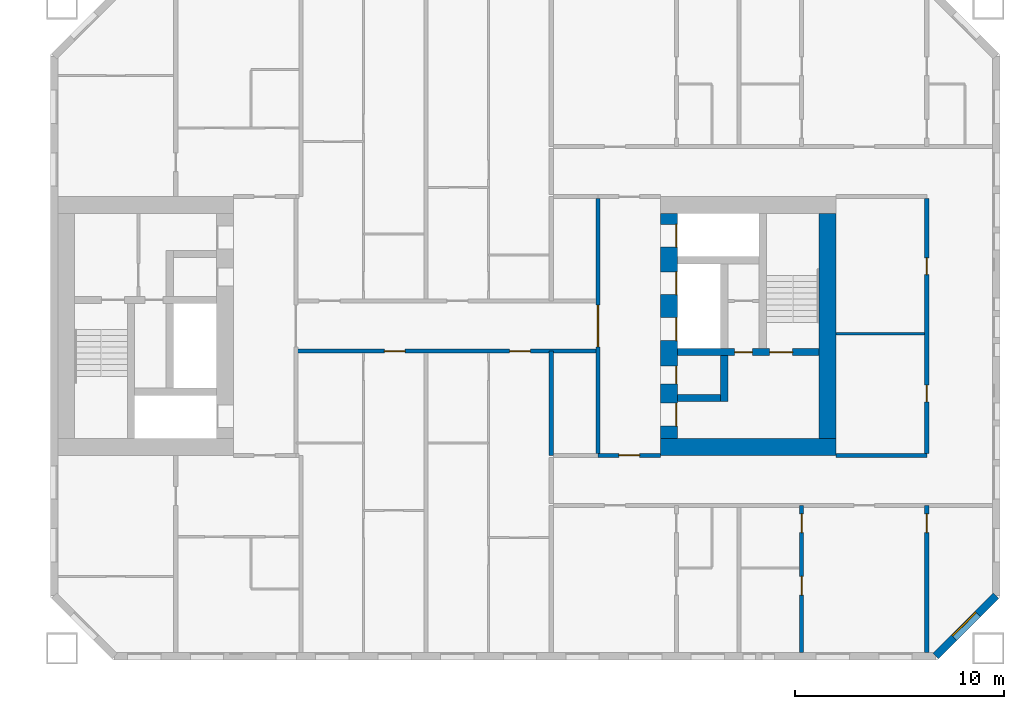
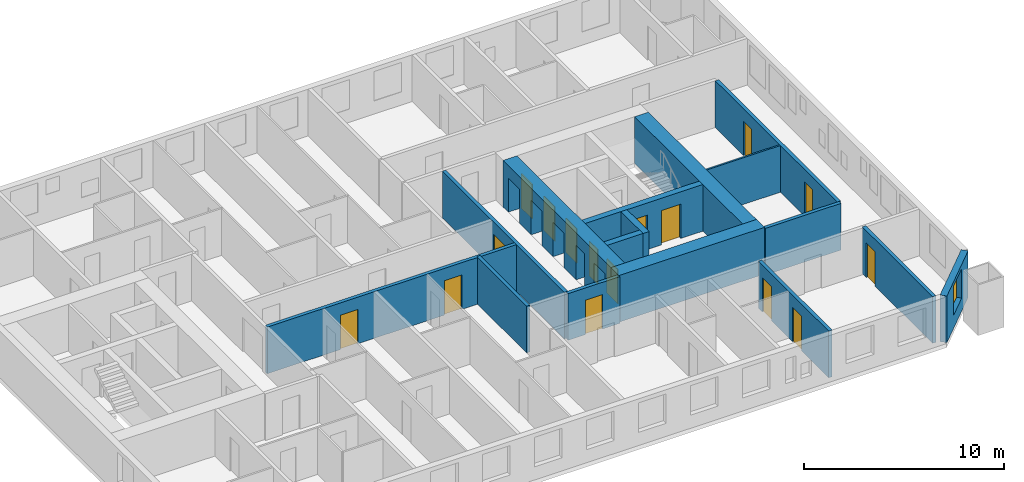
# One storey, part 12 of 17: 16 doors, 16 walls, 1 window, 17 openings.
"""IFC4 building model written with IfcOpenShell, lengths in metres."""

from ifc_helpers import new_model, si_unit, direction, frame, frame_2d, origin, place, context, subcontext, project, spatial, rectangle, extrude, material, layer, layer_set, type_object, element, fill, save


model = new_model("IFC4")

# Units and contexts
model_context = context("Model", 3, precision=1e-05, world=origin(), true_north=direction((0.0, 1.0)))
body_context = subcontext(model_context, "Body", "Model", "MODEL_VIEW")
ifc_project = project(units=[si_unit("LENGTHUNIT", "METRE"), si_unit("AREAUNIT", "SQUARE_METRE"), si_unit("VOLUMEUNIT", "CUBIC_METRE"), si_unit("PLANEANGLEUNIT", "RADIAN"), si_unit("MASSUNIT", "GRAM", prefix="KILO")], contexts=[model_context])

# Site, building, storey
site_placement = place(None, origin())
site = spatial("IfcSite", under=ifc_project, at=site_placement, CompositionType="ELEMENT")
building_placement = place(site_placement, origin())
building = spatial("IfcBuilding", under=site, at=building_placement, Name="Tuart Gate Housing", CompositionType="ELEMENT")
storey_placement = place(building_placement, frame((0.0, 0.0, 50.5)))
storey = spatial("IfcBuildingStorey", under=building, at=storey_placement, Name="L13", CompositionType="ELEMENT", Elevation=50.5)

# Wall, opening, window
ifc_material_1 = material(Name="Brick", Category="masonry")
ifc_layer_1 = layer(ifc_material_1, 0.360107421875)
ifc_layer_set_1 = layer_set([ifc_layer_1], Name="Brick pier and spandrel wall 360")
wall_type_1 = type_object("IfcWallType", Name="Brick pier and spandrel wall 360", PredefinedType="STANDARD", material=ifc_layer_set_1)
wall_1_placement = place(storey_placement, frame((173.42529296875, 54.179931640625, 0.0), z_axis=(0.0, 0.0, 1.0), x_axis=(0.707106781187, 0.707106781187, 0.0)))
wall_1 = element("IfcWall", 1, at=wall_1_placement, inside=storey, type_object=wall_type_1, Name="External wall B-SE L13", PredefinedType="STANDARD", context=body_context, shape_type="SweptSolid", body=[
    extrude(rectangle(XDim=4.09375, YDim=0.360107421875, at=frame_2d((2.046875, 0.0))), origin(), (0.0, 0.0, 1.0), 2.85009765625),
])
opening_1_placement = place(wall_1_placement, frame((1.2470703125, 0.0, 0.800048828125)))
opening_1 = element("IfcOpeningElement", 2, at=opening_1_placement, cuts=wall_1, Name="Opening W1", PredefinedType="OPENING", context=body_context, shape_type="SweptSolid", body=[
    extrude(rectangle(XDim=1.60009765625, YDim=1.800048828125, at=frame_2d((0.800048828125, 0.89990234375))), frame((0.0, 0.18994140625, 0.0), z_axis=(0.0, -1.0, 0.0), x_axis=(1.0, 0.0, 0.0)), (0.0, 0.0, 1.0), 0.380126953125),
])
ifc_material_2 = material(Name="Aluminium frame with clear glass", Category="aluminium")
window_type = type_object("IfcWindowType", Name="Punched window 1600 x 1800", PartitioningType="SINGLE_PANEL", PredefinedType="WINDOW", material=ifc_material_2)
window_placement = place(opening_1_placement, origin())
window = element("IfcWindow", 3, at=window_placement, inside=storey, type_object=window_type, Name="Window W1", OverallHeight=1.800048828125, OverallWidth=1.60009765625, PartitioningType="SINGLE_PANEL", PredefinedType="WINDOW", context=body_context, shape_type="SweptSolid", body=[
    extrude(rectangle(XDim=1.60009765625, YDim=1.800048828125, at=frame_2d((0.800048828125, 0.89990234375))), frame((0.0, 0.150146484375, 0.0), z_axis=(0.0, -1.0, 0.0), x_axis=(1.0, 0.0, 0.0)), (0.0, 0.0, 1.0), 0.06005859375),
])
fill(opening_1, window)

# Wall, openings, doors
ifc_material_3 = material(Name="Concrete C60", Category="concrete")
ifc_layer_2 = layer(ifc_material_3, 0.35009765625)
ifc_layer_set_2 = layer_set([ifc_layer_2], Name="Core wall 350 C60")
wall_type_2 = type_object("IfcWallType", Name="Core wall 350 C60", PredefinedType="SHEAR", material=ifc_layer_set_2)
wall_2_placement = place(storey_placement, frame((161.0400390625, 68.75, 0.0), z_axis=(0.0, 0.0, 1.0), x_axis=(1.0, 0.0, 0.0)))
wall_2 = element("IfcWall", 4, at=wall_2_placement, inside=storey, type_object=wall_type_2, Name="Core wall BK.3", PredefinedType="SHEAR", context=body_context, shape_type="SweptSolid", body=[
    extrude(rectangle(XDim=6.800048828125, YDim=0.35009765625, at=frame_2d((3.39990234375, 0.0))), origin(), (0.0, 0.0, 1.0), 2.85009765625),
])
opening_2_placement = place(wall_2_placement, frame((4.425048828125, 0.0, 0.0)))
opening_2 = element("IfcOpeningElement", 5, at=opening_2_placement, cuts=wall_2, Name="Opening D693", PredefinedType="OPENING", context=body_context, shape_type="SweptSolid", body=[
    extrude(rectangle(XDim=1.10009765625, YDim=2.10009765625, at=frame_2d((0.550048828125, 1.050048828125))), frame((0.0, 0.18505859375, 0.0), z_axis=(0.0, -1.0, 0.0), x_axis=(1.0, 0.0, 0.0)), (0.0, 0.0, 1.0), 0.3701171875),
])
opening_3_placement = place(wall_2_placement, frame((2.75, 0.0, 0.0)))
opening_3 = element("IfcOpeningElement", 6, at=opening_3_placement, cuts=wall_2, Name="Opening D692", PredefinedType="OPENING", context=body_context, shape_type="SweptSolid", body=[
    extrude(rectangle(XDim=0.85009765625, YDim=2.10009765625, at=frame_2d((0.425048828125, 1.050048828125))), frame((0.0, 0.18505859375, 0.0), z_axis=(0.0, -1.0, 0.0), x_axis=(1.0, 0.0, 0.0)), (0.0, 0.0, 1.0), 0.3701171875),
])
ifc_material_4 = material(Name="Steel fire door", Category="steel")
door_type_1 = type_object("IfcDoorType", Name="Riser door 850 x 2100", OperationType="SINGLE_SWING_LEFT", PredefinedType="DOOR", material=ifc_material_4)
door_1_placement = place(opening_3_placement, origin())
door_1 = element("IfcDoor", 7, at=door_1_placement, inside=storey, type_object=door_type_1, Name="Service room door BK.W1", OperationType="SINGLE_SWING_LEFT", OverallHeight=2.10009765625, OverallWidth=0.85009765625, PredefinedType="DOOR", context=body_context, shape_type="SweptSolid", body=[
    extrude(rectangle(XDim=0.85009765625, YDim=2.10009765625, at=frame_2d((0.425048828125, 1.050048828125))), frame((0.0, 0.02490234375, 0.0), z_axis=(0.0, -1.0, 0.0), x_axis=(1.0, 0.0, 0.0)), (0.0, 0.0, 1.0), 0.050048828125),
])
fill(opening_3, door_1)
ifc_material_5 = material(Name="Steel fire door", Category="steel")
door_type_2 = type_object("IfcDoorType", Name="Stair door 1100 x 2100", OperationType="SINGLE_SWING_LEFT", PredefinedType="DOOR", material=ifc_material_5)
door_2_placement = place(opening_2_placement, origin())
door_2 = element("IfcDoor", 8, at=door_2_placement, inside=storey, type_object=door_type_2, Name="Stair door BK.SD", OperationType="SINGLE_SWING_LEFT", OverallHeight=2.10009765625, OverallWidth=1.10009765625, PredefinedType="DOOR", context=body_context, shape_type="SweptSolid", body=[
    extrude(rectangle(XDim=1.10009765625, YDim=2.10009765625, at=frame_2d((0.550048828125, 1.050048828125))), frame((0.0, 0.02490234375, 0.0), z_axis=(0.0, -1.0, 0.0), x_axis=(1.0, 0.0, 0.0)), (0.0, 0.0, 1.0), 0.050048828125),
])
fill(opening_2, door_2)

# Walls
wall_3_placement = place(storey_placement, frame((161.0400390625, 66.550048828125, 0.0), z_axis=(0.0, 0.0, 1.0), x_axis=(1.0, 0.0, 0.0)))
element("IfcWall", 9, at=wall_3_placement, inside=storey, type_object=wall_type_2, Name="Core wall BK.4", PredefinedType="SHEAR", context=body_context, shape_type="SweptSolid", body=[
    extrude(rectangle(XDim=2.074951171875, YDim=0.35009765625, at=frame_2d((1.03759765625, 0.0))), origin(), (0.0, 0.0, 1.0), 2.85009765625),
])
wall_4_placement = place(storey_placement, frame((163.2900390625, 68.574951171875, 0.0), z_axis=(0.0, 0.0, 1.0), x_axis=(0.0, -1.0, 0.0)))
element("IfcWall", 10, at=wall_4_placement, inside=storey, type_object=wall_type_2, Name="Core wall BK.6", PredefinedType="SHEAR", context=body_context, shape_type="SweptSolid", body=[
    extrude(rectangle(XDim=2.199951171875, YDim=0.35009765625, at=frame_2d((1.10009765625, 0.0))), origin(), (0.0, 0.0, 1.0), 2.85009765625),
])

# Wall, openings, doors
ifc_material_6 = material(Name="Concrete C60", Category="concrete")
ifc_layer_3 = layer(ifc_material_6, 0.800048828125)
ifc_layer_set_3 = layer_set([ifc_layer_3], Name="Core wall 800 C60")
wall_type_3 = type_object("IfcWallType", Name="Core wall 800 C60", PredefinedType="SHEAR", material=ifc_layer_set_3)
wall_5_placement = place(storey_placement, frame((160.639892578125, 75.39990234375, 0.0), z_axis=(0.0, 0.0, 1.0), x_axis=(0.0, -1.0, 0.0)))
wall_5 = element("IfcWall", 11, at=wall_5_placement, inside=storey, type_object=wall_type_3, Name="Core wall BK front", PredefinedType="SHEAR", context=body_context, shape_type="SweptSolid", body=[
    extrude(rectangle(XDim=10.7998046875, YDim=0.800048828125, at=frame_2d((5.39990234375, 0.0))), origin(), (0.0, 0.0, 1.0), 2.85009765625),
])
opening_4_placement = place(wall_5_placement, frame((0.52490234375, 0.0, 0.0)))
opening_4 = element("IfcOpeningElement", 12, at=opening_4_placement, cuts=wall_5, Name="Opening LD-FB2", PredefinedType="OPENING", context=body_context, shape_type="SweptSolid", body=[
    extrude(rectangle(XDim=1.10009765625, YDim=2.10009765625, at=frame_2d((0.550048828125, 1.050048828125))), frame((0.0, 0.409912109375, 0.0), z_axis=(0.0, -1.0, 0.0), x_axis=(1.0, 0.0, 0.0)), (0.0, 0.0, 1.0), 0.820068359375),
])
opening_5_placement = place(wall_5_placement, frame((2.800048828125, 0.0, 0.0)))
opening_5 = element("IfcOpeningElement", 13, at=opening_5_placement, cuts=wall_5, Name="Opening LD-LB3", PredefinedType="OPENING", context=body_context, shape_type="SweptSolid", body=[
    extrude(rectangle(XDim=1.10009765625, YDim=2.10009765625, at=frame_2d((0.550048828125, 1.050048828125))), frame((0.0, 0.409912109375, 0.0), z_axis=(0.0, -1.0, 0.0), x_axis=(1.0, 0.0, 0.0)), (0.0, 0.0, 1.0), 0.820068359375),
])
opening_6_placement = place(wall_5_placement, frame((5.0, 0.0, 0.0)))
opening_6 = element("IfcOpeningElement", 14, at=opening_6_placement, cuts=wall_5, Name="Opening LD-LB4", PredefinedType="OPENING", context=body_context, shape_type="SweptSolid", body=[
    extrude(rectangle(XDim=1.10009765625, YDim=2.10009765625, at=frame_2d((0.550048828125, 1.050048828125))), frame((0.0, 0.409912109375, 0.0), z_axis=(0.0, -1.0, 0.0), x_axis=(1.0, 0.0, 0.0)), (0.0, 0.0, 1.0), 0.820068359375),
])
opening_7_placement = place(wall_5_placement, frame((9.10009765625, 0.0, 0.0)))
opening_7 = element("IfcOpeningElement", 15, at=opening_7_placement, cuts=wall_5, Name="Opening D686", PredefinedType="OPENING", context=body_context, shape_type="SweptSolid", body=[
    extrude(rectangle(XDim=1.10009765625, YDim=2.10009765625, at=frame_2d((0.550048828125, 1.050048828125))), frame((0.0, 0.409912109375, 0.0), z_axis=(0.0, -1.0, 0.0), x_axis=(1.0, 0.0, 0.0)), (0.0, 0.0, 1.0), 0.820068359375),
])
opening_8_placement = place(wall_5_placement, frame((7.324951171875, 0.0, 0.0)))
opening_8 = element("IfcOpeningElement", 16, at=opening_8_placement, cuts=wall_5, Name="Opening D687", PredefinedType="OPENING", context=body_context, shape_type="SweptSolid", body=[
    extrude(rectangle(XDim=0.85009765625, YDim=2.10009765625, at=frame_2d((0.425048828125, 1.050048828125))), frame((0.0, 0.409912109375, 0.0), z_axis=(0.0, -1.0, 0.0), x_axis=(1.0, 0.0, 0.0)), (0.0, 0.0, 1.0), 0.820068359375),
])
ifc_material_7 = material(Name="Stainless steel", Category="steel")
door_type_3 = type_object("IfcDoorType", Name="Landing door 1100 x 2100", OperationType="DOUBLE_DOOR_SLIDING", PredefinedType="DOOR", material=ifc_material_7)
door_3_placement = place(opening_4_placement, origin())
door_3 = element("IfcDoor", 17, at=door_3_placement, inside=storey, type_object=door_type_3, Name="Lift landing door FB2", OperationType="DOUBLE_DOOR_SLIDING", OverallHeight=2.10009765625, OverallWidth=1.10009765625, PredefinedType="DOOR", context=body_context, shape_type="SweptSolid", body=[
    extrude(rectangle(XDim=1.10009765625, YDim=2.10009765625, at=frame_2d((0.550048828125, 1.050048828125))), frame((0.0, 0.38525390625, 0.0), z_axis=(0.0, -1.0, 0.0), x_axis=(1.0, 0.0, 0.0)), (0.0, 0.0, 1.0), 0.050048828125),
])
fill(opening_4, door_3)
door_4_placement = place(opening_5_placement, origin())
door_4 = element("IfcDoor", 18, at=door_4_placement, inside=storey, type_object=door_type_3, Name="Lift landing door LB3", OperationType="DOUBLE_DOOR_SLIDING", OverallHeight=2.10009765625, OverallWidth=1.10009765625, PredefinedType="DOOR", context=body_context, shape_type="SweptSolid", body=[
    extrude(rectangle(XDim=1.10009765625, YDim=2.10009765625, at=frame_2d((0.550048828125, 1.050048828125))), frame((0.0, 0.38525390625, 0.0), z_axis=(0.0, -1.0, 0.0), x_axis=(1.0, 0.0, 0.0)), (0.0, 0.0, 1.0), 0.050048828125),
])
fill(opening_5, door_4)
door_5_placement = place(opening_6_placement, origin())
door_5 = element("IfcDoor", 19, at=door_5_placement, inside=storey, type_object=door_type_3, Name="Lift landing door LB4", OperationType="DOUBLE_DOOR_SLIDING", OverallHeight=2.10009765625, OverallWidth=1.10009765625, PredefinedType="DOOR", context=body_context, shape_type="SweptSolid", body=[
    extrude(rectangle(XDim=1.10009765625, YDim=2.10009765625, at=frame_2d((0.550048828125, 1.050048828125))), frame((0.0, 0.38525390625, 0.0), z_axis=(0.0, -1.0, 0.0), x_axis=(1.0, 0.0, 0.0)), (0.0, 0.0, 1.0), 0.050048828125),
])
fill(opening_6, door_5)
ifc_material_8 = material(Name="Steel fire door", Category="steel")
door_type_4 = type_object("IfcDoorType", Name="Lobby door 1100 x 2100", OperationType="SINGLE_SWING_LEFT", PredefinedType="DOOR", material=ifc_material_8)
door_6_placement = place(opening_7_placement, origin())
door_6 = element("IfcDoor", 20, at=door_6_placement, inside=storey, type_object=door_type_4, Name="Lobby entry door BK.EN", OperationType="SINGLE_SWING_LEFT", OverallHeight=2.10009765625, OverallWidth=1.10009765625, PredefinedType="DOOR", context=body_context, shape_type="SweptSolid", body=[
    extrude(rectangle(XDim=1.10009765625, YDim=2.10009765625, at=frame_2d((0.550048828125, 1.050048828125))), frame((0.0, 0.38525390625, 0.0), z_axis=(0.0, -1.0, 0.0), x_axis=(1.0, 0.0, 0.0)), (0.0, 0.0, 1.0), 0.050048828125),
])
fill(opening_7, door_6)
ifc_material_9 = material(Name="Steel fire door", Category="steel")
door_type_5 = type_object("IfcDoorType", Name="Service door 850 x 2100", OperationType="SINGLE_SWING_LEFT", PredefinedType="DOOR", material=ifc_material_9)
door_7_placement = place(opening_8_placement, origin())
door_7 = element("IfcDoor", 21, at=door_7_placement, inside=storey, type_object=door_type_5, Name="Service room door BK.T1", OperationType="SINGLE_SWING_LEFT", OverallHeight=2.10009765625, OverallWidth=0.85009765625, PredefinedType="DOOR", context=body_context, shape_type="SweptSolid", body=[
    extrude(rectangle(XDim=0.85009765625, YDim=2.10009765625, at=frame_2d((0.425048828125, 1.050048828125))), frame((0.0, 0.38525390625, 0.0), z_axis=(0.0, -1.0, 0.0), x_axis=(1.0, 0.0, 0.0)), (0.0, 0.0, 1.0), 0.050048828125),
])
fill(opening_8, door_7)

# Walls
wall_6_placement = place(storey_placement, frame((168.239990234375, 75.39990234375, 0.0), z_axis=(0.0, 0.0, 1.0), x_axis=(0.0, -1.0, 0.0)))
element("IfcWall", 22, at=wall_6_placement, inside=storey, type_object=wall_type_3, Name="Core wall BK back", PredefinedType="SHEAR", context=body_context, shape_type="SweptSolid", body=[
    extrude(rectangle(XDim=10.7998046875, YDim=0.800048828125, at=frame_2d((5.39990234375, 0.0))), origin(), (0.0, 0.0, 1.0), 2.85009765625),
])
wall_7_placement = place(storey_placement, frame((160.239990234375, 64.199951171875, 0.0), z_axis=(0.0, 0.0, 1.0), x_axis=(1.0, 0.0, 0.0)))
element("IfcWall", 23, at=wall_7_placement, inside=storey, type_object=wall_type_3, Name="Core wall BK north", PredefinedType="SHEAR", context=body_context, shape_type="SweptSolid", body=[
    extrude(rectangle(XDim=8.39990234375, YDim=0.800048828125, at=frame_2d((4.199951171875, 0.0))), origin(), (0.0, 0.0, 1.0), 2.85009765625),
])
ifc_material_10 = material(Name="Concrete masonry 15 MPa", Category="masonry")
ifc_layer_4 = layer(ifc_material_10, 0.199951171875)
ifc_layer_set_4 = layer_set([ifc_layer_4], Name="Corridor wall masonry 200")
wall_type_4 = type_object("IfcWallType", Name="Corridor wall masonry 200", PredefinedType="PARTITIONING", material=ifc_layer_set_4)
wall_8_placement = place(storey_placement, frame((168.639892578125, 63.800048828125, 0.0), z_axis=(0.0, 0.0, 1.0), x_axis=(1.0, 0.0, 0.0)))
element("IfcWall", 24, at=wall_8_placement, inside=storey, type_object=wall_type_4, Name="Corridor wall masonry 200", PredefinedType="PARTITIONING", context=body_context, shape_type="SweptSolid", body=[
    extrude(rectangle(XDim=4.360107421875, YDim=0.199951171875, at=frame_2d((2.18017578125, 0.0))), origin(), (0.0, 0.0, 1.0), 2.85009765625),
])

# Wall, openings, doors
wall_9_placement = place(storey_placement, frame((142.760009765625, 68.800048828125, 0.0), z_axis=(0.0, 0.0, 1.0), x_axis=(1.0, 0.0, 0.0)))
wall_9 = element("IfcWall", 25, at=wall_9_placement, inside=storey, type_object=wall_type_4, Name="Corridor wall masonry 200", PredefinedType="PARTITIONING", context=body_context, shape_type="SweptSolid", body=[
    extrude(rectangle(XDim=14.47998046875, YDim=0.199951171875, at=frame_2d((7.239990234375, 0.0))), origin(), (0.0, 0.0, 1.0), 2.85009765625),
])
opening_9_placement = place(wall_9_placement, frame((4.239990234375, 0.0, 0.0)))
opening_9 = element("IfcOpeningElement", 26, at=opening_9_placement, cuts=wall_9, Name="Opening D690", PredefinedType="OPENING", context=body_context, shape_type="SweptSolid", body=[
    extrude(rectangle(XDim=1.0, YDim=2.10009765625, at=frame_2d((0.5, 1.050048828125))), frame((0.0, 0.10986328125, 0.0), z_axis=(0.0, -1.0, 0.0), x_axis=(1.0, 0.0, 0.0)), (0.0, 0.0, 1.0), 0.219970703125),
])
opening_10_placement = place(wall_9_placement, frame((10.239990234375, 0.0, 0.0)))
opening_10 = element("IfcOpeningElement", 27, at=opening_10_placement, cuts=wall_9, Name="Opening D691", PredefinedType="OPENING", context=body_context, shape_type="SweptSolid", body=[
    extrude(rectangle(XDim=1.0, YDim=2.10009765625, at=frame_2d((0.5, 1.050048828125))), frame((0.0, 0.10986328125, 0.0), z_axis=(0.0, -1.0, 0.0), x_axis=(1.0, 0.0, 0.0)), (0.0, 0.0, 1.0), 0.219970703125),
])
ifc_material_11 = material(Name="Timber door leaf in steel frame", Category="steel")
door_type_6 = type_object("IfcDoorType", Name="Flat entrance door 1000 RH", OperationType="SINGLE_SWING_RIGHT", PredefinedType="DOOR", material=ifc_material_11)
door_8_placement = place(opening_9_placement, frame((1.0, 0.0, 0.0), z_axis=(0.0, 0.0, 1.0), x_axis=(-1.0, 0.0, 0.0)))
door_8 = element("IfcDoor", 28, at=door_8_placement, inside=storey, type_object=door_type_6, Name="Flat entrance door", OperationType="SINGLE_SWING_RIGHT", OverallHeight=2.10009765625, OverallWidth=1.0, PredefinedType="DOOR", context=body_context, shape_type="SweptSolid", body=[
    extrude(rectangle(XDim=1.0, YDim=2.10009765625, at=frame_2d((0.5, 1.050048828125))), frame((0.0, 0.025146484375, 0.0), z_axis=(0.0, -1.0, 0.0), x_axis=(1.0, 0.0, 0.0)), (0.0, 0.0, 1.0), 0.050048828125),
])
fill(opening_9, door_8)
door_9_placement = place(opening_10_placement, frame((1.0, 0.0, 0.0), z_axis=(0.0, 0.0, 1.0), x_axis=(-1.0, 0.0, 0.0)))
door_9 = element("IfcDoor", 29, at=door_9_placement, inside=storey, type_object=door_type_6, Name="Flat entrance door", OperationType="SINGLE_SWING_RIGHT", OverallHeight=2.10009765625, OverallWidth=1.0, PredefinedType="DOOR", context=body_context, shape_type="SweptSolid", body=[
    extrude(rectangle(XDim=1.0, YDim=2.10009765625, at=frame_2d((0.5, 1.050048828125))), frame((0.0, 0.025146484375, 0.0), z_axis=(0.0, -1.0, 0.0), x_axis=(1.0, 0.0, 0.0)), (0.0, 0.0, 1.0), 0.050048828125),
])
fill(opening_10, door_9)

wall_10_placement = place(storey_placement, frame((173.0, 63.89990234375, 0.0), z_axis=(0.0, 0.0, 1.0), x_axis=(0.0, 1.0, 0.0)))
wall_10 = element("IfcWall", 30, at=wall_10_placement, inside=storey, type_object=wall_type_4, Name="Corridor wall masonry 200", PredefinedType="PARTITIONING", context=body_context, shape_type="SweptSolid", body=[
    extrude(rectangle(XDim=12.2001953125, YDim=0.199951171875, at=frame_2d((6.10009765625, 0.0))), origin(), (0.0, 0.0, 1.0), 2.85009765625),
])
opening_11_placement = place(wall_10_placement, frame((2.465087890625, 0.0, 0.0)))
opening_11 = element("IfcOpeningElement", 31, at=opening_11_placement, cuts=wall_10, Name="Opening D688", PredefinedType="OPENING", context=body_context, shape_type="SweptSolid", body=[
    extrude(rectangle(XDim=0.800048828125, YDim=2.10009765625, at=frame_2d((0.39990234375, 1.050048828125))), frame((0.0, 0.10986328125, 0.0), z_axis=(0.0, -1.0, 0.0), x_axis=(1.0, 0.0, 0.0)), (0.0, 0.0, 1.0), 0.219970703125),
])
opening_12_placement = place(wall_10_placement, frame((8.56494140625, 0.0, 0.0)))
opening_12 = element("IfcOpeningElement", 32, at=opening_12_placement, cuts=wall_10, Name="Opening D689", PredefinedType="OPENING", context=body_context, shape_type="SweptSolid", body=[
    extrude(rectangle(XDim=0.800048828125, YDim=2.10009765625, at=frame_2d((0.39990234375, 1.050048828125))), frame((0.0, 0.10986328125, 0.0), z_axis=(0.0, -1.0, 0.0), x_axis=(1.0, 0.0, 0.0)), (0.0, 0.0, 1.0), 0.219970703125),
])
ifc_material_12 = material(Name="Timber door leaf in steel frame", Category="steel")
door_type_7 = type_object("IfcDoorType", Name="Store door 800", OperationType="SINGLE_SWING_LEFT", PredefinedType="DOOR", material=ifc_material_12)
door_10_placement = place(opening_12_placement, origin())
door_10 = element("IfcDoor", 33, at=door_10_placement, inside=storey, type_object=door_type_7, Name="Store door", OperationType="SINGLE_SWING_LEFT", OverallHeight=2.10009765625, OverallWidth=0.800048828125, PredefinedType="DOOR", context=body_context, shape_type="SweptSolid", body=[
    extrude(rectangle(XDim=0.800048828125, YDim=2.10009765625, at=frame_2d((0.39990234375, 1.050048828125))), frame((0.0, 0.02490234375, 0.0), z_axis=(0.0, -1.0, 0.0), x_axis=(1.0, 0.0, 0.0)), (0.0, 0.0, 1.0), 0.050048828125),
])
fill(opening_12, door_10)
ifc_material_13 = material(Name="Timber door leaf in steel frame", Category="steel")
door_type_8 = type_object("IfcDoorType", Name="Store door 800 RH", OperationType="SINGLE_SWING_RIGHT", PredefinedType="DOOR", material=ifc_material_13)
door_11_placement = place(opening_11_placement, origin())
door_11 = element("IfcDoor", 34, at=door_11_placement, inside=storey, type_object=door_type_8, Name="Store door", OperationType="SINGLE_SWING_RIGHT", OverallHeight=2.10009765625, OverallWidth=0.800048828125, PredefinedType="DOOR", context=body_context, shape_type="SweptSolid", body=[
    extrude(rectangle(XDim=0.800048828125, YDim=2.10009765625, at=frame_2d((0.39990234375, 1.050048828125))), frame((0.0, 0.02490234375, 0.0), z_axis=(0.0, -1.0, 0.0), x_axis=(1.0, 0.0, 0.0)), (0.0, 0.0, 1.0), 0.050048828125),
])
fill(opening_11, door_11)

# Wall, opening, door
ifc_material_14 = material(Name="Concrete masonry 15 MPa", Category="masonry")
ifc_layer_5 = layer(ifc_material_14, 0.199951171875)
ifc_layer_set_5 = layer_set([ifc_layer_5], Name="Enclosure wall masonry 200")
wall_type_5 = type_object("IfcWallType", Name="Enclosure wall masonry 200", PredefinedType="PARTITIONING", material=ifc_layer_set_5)
wall_11_placement = place(storey_placement, frame((157.239990234375, 63.800048828125, 0.0), z_axis=(0.0, 0.0, 1.0), x_axis=(1.0, 0.0, 0.0)))
wall_11 = element("IfcWall", 35, at=wall_11_placement, inside=storey, type_object=wall_type_5, Name="Enclosure wall masonry 200", PredefinedType="PARTITIONING", context=body_context, shape_type="SweptSolid", body=[
    extrude(rectangle(XDim=3.0, YDim=0.199951171875, at=frame_2d((1.5, 0.0))), origin(), (0.0, 0.0, 1.0), 2.85009765625),
])
opening_13_placement = place(wall_11_placement, frame((1.0, 0.0, 0.0)))
opening_13 = element("IfcOpeningElement", 36, at=opening_13_placement, cuts=wall_11, Name="Opening D695", PredefinedType="OPENING", context=body_context, shape_type="SweptSolid", body=[
    extrude(rectangle(XDim=1.0, YDim=2.10009765625, at=frame_2d((0.5, 1.050048828125))), frame((0.0, 0.10986328125, 0.0), z_axis=(0.0, -1.0, 0.0), x_axis=(1.0, 0.0, 0.0)), (0.0, 0.0, 1.0), 0.219970703125),
])
ifc_material_15 = material(Name="Timber door leaf in steel frame", Category="steel")
door_type_9 = type_object("IfcDoorType", Name="Fire door 1000 RH", OperationType="SINGLE_SWING_RIGHT", PredefinedType="DOOR", material=ifc_material_15)
door_12_placement = place(opening_13_placement, frame((1.0, 0.0, 0.0), z_axis=(0.0, 0.0, 1.0), x_axis=(-1.0, 0.0, 0.0)))
door_12 = element("IfcDoor", 37, at=door_12_placement, inside=storey, type_object=door_type_9, Name="Fire door", OperationType="SINGLE_SWING_RIGHT", OverallHeight=2.10009765625, OverallWidth=1.0, PredefinedType="DOOR", context=body_context, shape_type="SweptSolid", body=[
    extrude(rectangle(XDim=1.0, YDim=2.10009765625, at=frame_2d((0.5, 1.050048828125))), frame((0.0, 0.025146484375, 0.0), z_axis=(0.0, -1.0, 0.0), x_axis=(1.0, 0.0, 0.0)), (0.0, 0.0, 1.0), 0.050048828125),
])
fill(opening_13, door_12)

ifc_material_16 = material(Name="Plasterboard partition")
ifc_layer_6 = layer(ifc_material_16, 0.199951171875)
ifc_layer_set_6 = layer_set([ifc_layer_6], Name="Lobby wall 200")
wall_type_6 = type_object("IfcWallType", Name="Lobby wall 200", PredefinedType="PARTITIONING", material=ifc_layer_set_6)
wall_12_placement = place(storey_placement, frame((157.239990234375, 63.89990234375, 0.0), z_axis=(0.0, 0.0, 1.0), x_axis=(0.0, 1.0, 0.0)))
wall_12 = element("IfcWall", 38, at=wall_12_placement, inside=storey, type_object=wall_type_6, Name="Lift lobby wall BK", PredefinedType="PARTITIONING", context=body_context, shape_type="SweptSolid", body=[
    extrude(rectangle(XDim=12.2001953125, YDim=0.199951171875, at=frame_2d((6.10009765625, 0.0))), origin(), (0.0, 0.0, 1.0), 2.85009765625),
])
opening_14_placement = place(wall_12_placement, frame((5.10009765625, 0.0, 0.0)))
opening_14 = element("IfcOpeningElement", 39, at=opening_14_placement, cuts=wall_12, Name="Opening D685", PredefinedType="OPENING", context=body_context, shape_type="SweptSolid", body=[
    extrude(rectangle(XDim=2.0, YDim=2.10009765625, at=frame_2d((1.0, 1.050048828125))), frame((0.0, 0.10986328125, 0.0), z_axis=(0.0, -1.0, 0.0), x_axis=(1.0, 0.0, 0.0)), (0.0, 0.0, 1.0), 0.219970703125),
])
ifc_material_17 = material(Name="Steel fire door", Category="steel")
door_type_10 = type_object("IfcDoorType", Name="Smoke door 2000 x 2100", OperationType="DOUBLE_DOOR_SINGLE_SWING", PredefinedType="DOOR", material=ifc_material_17)
door_13_placement = place(opening_14_placement, frame((2.0, 0.0, 0.0), z_axis=(0.0, 0.0, 1.0), x_axis=(-1.0, 0.0, 0.0)))
door_13 = element("IfcDoor", 40, at=door_13_placement, inside=storey, type_object=door_type_10, Name="Lift lobby smoke door BK", OperationType="DOUBLE_DOOR_SINGLE_SWING", OverallHeight=2.10009765625, OverallWidth=2.0, PredefinedType="DOOR", context=body_context, shape_type="SweptSolid", body=[
    extrude(rectangle(XDim=2.0, YDim=2.10009765625, at=frame_2d((1.0, 1.050048828125))), frame((0.0, 0.025146484375, 0.0), z_axis=(0.0, -1.0, 0.0), x_axis=(1.0, 0.0, 0.0)), (0.0, 0.0, 1.0), 0.050048828125),
])
fill(opening_14, door_13)

# Walls
ifc_material_18 = material(Name="Gypsum board on steel studs", Category="steel")
ifc_layer_7 = layer(ifc_material_18, 0.10009765625)
ifc_layer_set_7 = layer_set([ifc_layer_7], Name="Partition 100")
wall_type_7 = type_object("IfcWallType", Name="Partition 100", PredefinedType="PARTITIONING", material=ifc_layer_set_7)
wall_13_placement = place(storey_placement, frame((168.639892578125, 69.6298828125, 0.0), z_axis=(0.0, 0.0, 1.0), x_axis=(1.0, 0.0, 0.0)))
element("IfcWall", 41, at=wall_13_placement, inside=storey, type_object=wall_type_7, Name="Partition 100", PredefinedType="PARTITIONING", context=body_context, shape_type="SweptSolid", body=[
    extrude(rectangle(XDim=4.260009765625, YDim=0.10009765625, at=frame_2d((2.1298828125, 0.0))), origin(), (0.0, 0.0, 1.0), 2.85009765625),
])
ifc_material_19 = material(Name="Concrete C40", Category="concrete")
ifc_layer_8 = layer(ifc_material_19, 0.199951171875)
ifc_layer_set_8 = layer_set([ifc_layer_8], Name="Party wall concrete C40 200")
wall_type_8 = type_object("IfcWallType", Name="Party wall concrete C40 200", PredefinedType="SOLIDWALL", material=ifc_layer_set_8)
wall_14_placement = place(storey_placement, frame((155.0, 63.800048828125, 0.0), z_axis=(0.0, 0.0, 1.0), x_axis=(0.0, 1.0, 0.0)))
element("IfcWall", 42, at=wall_14_placement, inside=storey, type_object=wall_type_8, Name="Party wall concrete C40 200", PredefinedType="SOLIDWALL", context=body_context, shape_type="SweptSolid", body=[
    extrude(rectangle(XDim=5.0, YDim=0.199951171875, at=frame_2d((2.5, 0.0))), origin(), (0.0, 0.0, 1.0), 2.85009765625),
])

# Wall, openings, doors
wall_15_placement = place(storey_placement, frame((167.0, 54.360107421875, 0.0), z_axis=(0.0, 0.0, 1.0), x_axis=(0.0, 1.0, 0.0)))
wall_15 = element("IfcWall", 43, at=wall_15_placement, inside=storey, type_object=wall_type_8, Name="Party wall concrete C40 200", PredefinedType="SOLIDWALL", context=body_context, shape_type="SweptSolid", body=[
    extrude(rectangle(XDim=7.039794921875, YDim=0.199951171875, at=frame_2d((3.52001953125, 0.0))), origin(), (0.0, 0.0, 1.0), 2.85009765625),
])
opening_15_placement = place(wall_15_placement, frame((2.739990234375, 0.0, 0.0)))
opening_15 = element("IfcOpeningElement", 44, at=opening_15_placement, cuts=wall_15, Name="Opening D711", PredefinedType="OPENING", context=body_context, shape_type="SweptSolid", body=[
    extrude(rectangle(XDim=0.89990234375, YDim=2.10009765625, at=frame_2d((0.449951171875, 1.050048828125))), frame((0.0, 0.10986328125, 0.0), z_axis=(0.0, -1.0, 0.0), x_axis=(1.0, 0.0, 0.0)), (0.0, 0.0, 1.0), 0.219970703125),
])
opening_16_placement = place(wall_15_placement, frame((5.739990234375, 0.0, 0.0)))
opening_16 = element("IfcOpeningElement", 45, at=opening_16_placement, cuts=wall_15, Name="Opening D710", PredefinedType="OPENING", context=body_context, shape_type="SweptSolid", body=[
    extrude(rectangle(XDim=0.89990234375, YDim=2.10009765625, at=frame_2d((0.449951171875, 1.050048828125))), frame((0.0, 0.10986328125, 0.0), z_axis=(0.0, -1.0, 0.0), x_axis=(1.0, 0.0, 0.0)), (0.0, 0.0, 1.0), 0.219970703125),
])
ifc_material_20 = material(Name="Timber door leaf in steel frame", Category="steel")
door_type_11 = type_object("IfcDoorType", Name="Bathroom door 900 RH", OperationType="SINGLE_SWING_RIGHT", PredefinedType="DOOR", material=ifc_material_20)
door_14_placement = place(opening_16_placement, origin())
door_14 = element("IfcDoor", 46, at=door_14_placement, inside=storey, type_object=door_type_11, Name="Bathroom door", OperationType="SINGLE_SWING_RIGHT", OverallHeight=2.10009765625, OverallWidth=0.89990234375, PredefinedType="DOOR", context=body_context, shape_type="SweptSolid", body=[
    extrude(rectangle(XDim=0.89990234375, YDim=2.10009765625, at=frame_2d((0.449951171875, 1.050048828125))), frame((0.0, 0.02490234375, 0.0), z_axis=(0.0, -1.0, 0.0), x_axis=(1.0, 0.0, 0.0)), (0.0, 0.0, 1.0), 0.050048828125),
])
fill(opening_16, door_14)
ifc_material_21 = material(Name="Timber door leaf in steel frame", Category="steel")
door_type_12 = type_object("IfcDoorType", Name="Internal door 900 RH", OperationType="SINGLE_SWING_RIGHT", PredefinedType="DOOR", material=ifc_material_21)
door_15_placement = place(opening_15_placement, origin())
door_15 = element("IfcDoor", 47, at=door_15_placement, inside=storey, type_object=door_type_12, Name="Internal door", OperationType="SINGLE_SWING_RIGHT", OverallHeight=2.10009765625, OverallWidth=0.89990234375, PredefinedType="DOOR", context=body_context, shape_type="SweptSolid", body=[
    extrude(rectangle(XDim=0.89990234375, YDim=2.10009765625, at=frame_2d((0.449951171875, 1.050048828125))), frame((0.0, 0.02490234375, 0.0), z_axis=(0.0, -1.0, 0.0), x_axis=(1.0, 0.0, 0.0)), (0.0, 0.0, 1.0), 0.050048828125),
])
fill(opening_15, door_15)

# Wall, opening, door
wall_16_placement = place(storey_placement, frame((173.0, 54.360107421875, 0.0), z_axis=(0.0, 0.0, 1.0), x_axis=(0.0, 1.0, 0.0)))
wall_16 = element("IfcWall", 48, at=wall_16_placement, inside=storey, type_object=wall_type_8, Name="Party wall concrete C40 200", PredefinedType="SOLIDWALL", context=body_context, shape_type="SweptSolid", body=[
    extrude(rectangle(XDim=7.039794921875, YDim=0.199951171875, at=frame_2d((3.52001953125, 0.0))), origin(), (0.0, 0.0, 1.0), 2.85009765625),
])
opening_17_placement = place(wall_16_placement, frame((5.739990234375, 0.0, 0.0)))
opening_17 = element("IfcOpeningElement", 49, at=opening_17_placement, cuts=wall_16, Name="Opening D712", PredefinedType="OPENING", context=body_context, shape_type="SweptSolid", body=[
    extrude(rectangle(XDim=0.89990234375, YDim=2.10009765625, at=frame_2d((0.449951171875, 1.050048828125))), frame((0.0, 0.10986328125, 0.0), z_axis=(0.0, -1.0, 0.0), x_axis=(1.0, 0.0, 0.0)), (0.0, 0.0, 1.0), 0.219970703125),
])
ifc_material_22 = material(Name="Timber door leaf in steel frame", Category="steel")
door_type_13 = type_object("IfcDoorType", Name="Internal door 900", OperationType="SINGLE_SWING_LEFT", PredefinedType="DOOR", material=ifc_material_22)
door_16_placement = place(opening_17_placement, frame((0.89990234375, 0.0, 0.0), z_axis=(0.0, 0.0, 1.0), x_axis=(-1.0, 0.0, 0.0)))
door_16 = element("IfcDoor", 50, at=door_16_placement, inside=storey, type_object=door_type_13, Name="Internal door", OperationType="SINGLE_SWING_LEFT", OverallHeight=2.10009765625, OverallWidth=0.89990234375, PredefinedType="DOOR", context=body_context, shape_type="SweptSolid", body=[
    extrude(rectangle(XDim=0.89990234375, YDim=2.10009765625, at=frame_2d((0.449951171875, 1.050048828125))), frame((0.0, 0.025146484375, 0.0), z_axis=(0.0, -1.0, 0.0), x_axis=(1.0, 0.0, 0.0)), (0.0, 0.0, 1.0), 0.050048828125),
])
fill(opening_17, door_16)

save(model, "model.ifc")
